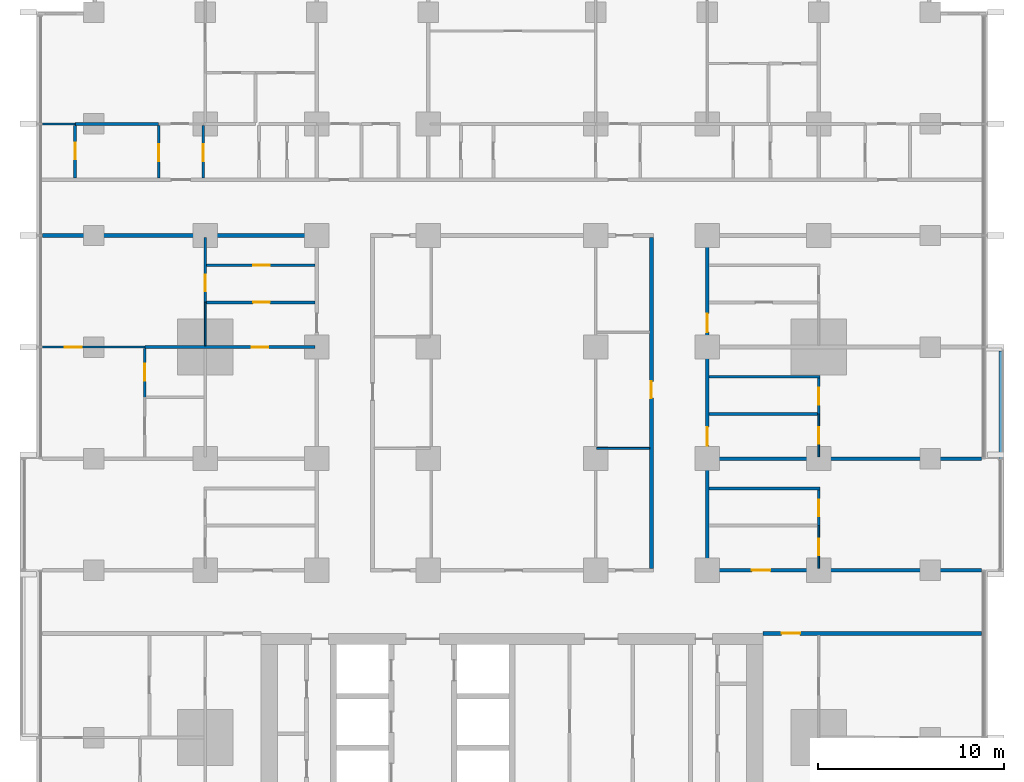
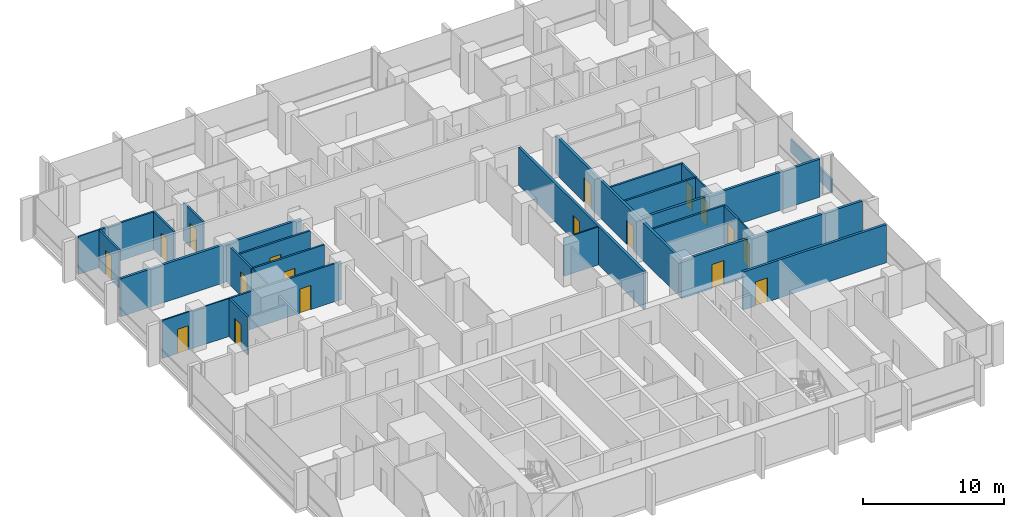
# One storey, part 10 of 18: 27 walls, 18 doors, 18 openings.
"""IFC4 building model written with IfcOpenShell, lengths in metres."""

from ifc_helpers import new_model, si_unit, direction, frame, frame_2d, origin, place, context, subcontext, project, spatial, rectangle, extrude, material, layer, layer_set, type_object, element, fill, save


model = new_model("IFC4")

# Units and contexts
model_context = context("Model", 3, precision=1e-05, world=origin(), true_north=direction((0.0, 1.0)))
body_context = subcontext(model_context, "Body", "Model", "MODEL_VIEW")
ifc_project = project(units=[si_unit("LENGTHUNIT", "METRE"), si_unit("AREAUNIT", "SQUARE_METRE"), si_unit("VOLUMEUNIT", "CUBIC_METRE"), si_unit("PLANEANGLEUNIT", "RADIAN"), si_unit("MASSUNIT", "GRAM", prefix="KILO")], contexts=[model_context])

# Site, building, storey
site_placement = place(None, origin())
site = spatial("IfcSite", under=ifc_project, at=site_placement, CompositionType="ELEMENT")
building_placement = place(site_placement, origin())
building = spatial("IfcBuilding", under=site, at=building_placement, Name="Finial Court Residences", CompositionType="ELEMENT")
storey_placement = place(building_placement, frame((0.0, 0.0, 43.300048828125)))
storey = spatial("IfcBuildingStorey", under=building, at=storey_placement, Name="L09", CompositionType="ELEMENT", Elevation=43.300048828125)

# Wall
ifc_material_1 = material(Name="Gypsum board")
ifc_layer_1 = layer(ifc_material_1, 0.02490234375)
ifc_material_2 = material(Name="Acoustic mineral wool in double frame")
ifc_layer_2 = layer(ifc_material_2, 0.14990234375)
ifc_layer_3 = layer(ifc_material_1, 0.02490234375)
ifc_layer_set_1 = layer_set([ifc_layer_1, ifc_layer_2, ifc_layer_3], Name="Acoustic party wall 200, 1 hour")
wall_type_1 = type_object("IfcWallType", Name="Acoustic party wall 200, 1 hour", PredefinedType="PARTITIONING", material=ifc_layer_set_1)
wall_1_placement = place(storey_placement, frame((10.60009765625, 1.5, 0.0), z_axis=(0.0, 0.0, 1.0), x_axis=(1.0, 0.0, 0.0)))
element("IfcWall", 1, at=wall_1_placement, inside=storey, type_object=wall_type_1, Name="Partition L09-017", PredefinedType="PARTITIONING", context=body_context, shape_type="SweptSolid", body=[
    extrude(rectangle(XDim=14.64990234375, YDim=0.199951171875, at=frame_2d((7.324951171875, 0.0))), origin(), (0.0, 0.0, 1.0), 3.300048828125),
])

# Wall, opening, door
ifc_layer_4 = layer(ifc_material_1, 0.02490234375)
ifc_layer_5 = layer(ifc_material_2, 0.14990234375)
ifc_layer_6 = layer(ifc_material_1, 0.02490234375)
ifc_layer_set_2 = layer_set([ifc_layer_4, ifc_layer_5, ifc_layer_6], Name="Corridor wall 200, 1 hour")
wall_type_2 = type_object("IfcWallType", Name="Corridor wall 200, 1 hour", PredefinedType="PARTITIONING", material=ifc_layer_set_2)
wall_2_placement = place(storey_placement, frame((13.5, -7.89990234375, 0.0), z_axis=(0.0, 0.0, 1.0), x_axis=(1.0, 0.0, 0.0)))
wall_2 = element("IfcWall", 2, at=wall_2_placement, inside=storey, type_object=wall_type_2, Name="Partition L09-008", PredefinedType="PARTITIONING", context=body_context, shape_type="SweptSolid", body=[
    extrude(rectangle(XDim=11.75, YDim=0.199951171875, at=frame_2d((5.875, 0.0))), origin(), (0.0, 0.0, 1.0), 3.300048828125),
])
opening_1_placement = place(wall_2_placement, frame((1.0, 0.0, 0.0)))
opening_1 = element("IfcOpeningElement", 3, at=opening_1_placement, cuts=wall_2, Name="Opening L09-D006", PredefinedType="OPENING", context=body_context, shape_type="SweptSolid", body=[
    extrude(rectangle(XDim=1.0, YDim=2.10009765625, at=frame_2d((0.5, 1.050048828125))), frame((0.0, 0.10986328125, 0.0), z_axis=(0.0, -1.0, 0.0), x_axis=(1.0, 0.0, 0.0)), (0.0, 0.0, 1.0), 0.219970703125),
])
ifc_material_3 = material(Name="Timber door leaf in hollow metal frame", Category="wood")
door_type_1 = type_object("IfcDoorType", Name="Fire door set 1000 x 2100, 30 minutes", OperationType="SINGLE_SWING_LEFT", PredefinedType="DOOR", material=ifc_material_3)
door_1_placement = place(opening_1_placement, origin())
door_1 = element("IfcDoor", 4, at=door_1_placement, inside=storey, type_object=door_type_1, Name="Door L09-D006", OperationType="SINGLE_SWING_LEFT", OverallHeight=2.10009765625, OverallWidth=1.0, PredefinedType="DOOR", context=body_context, shape_type="SweptSolid", body=[
    extrude(rectangle(XDim=1.0, YDim=2.10009765625, at=frame_2d((0.5, 1.050048828125))), frame((0.0, 0.02490234375, 0.0), z_axis=(0.0, -1.0, 0.0), x_axis=(1.0, 0.0, 0.0)), (0.0, 0.0, 1.0), 0.050048828125),
])
fill(opening_1, door_1)

wall_3_placement = place(storey_placement, frame((10.39990234375, -4.5, 0.0), z_axis=(0.0, 0.0, 1.0), x_axis=(1.0, 0.0, 0.0)))
wall_3 = element("IfcWall", 5, at=wall_3_placement, inside=storey, type_object=wall_type_2, Name="Partition L09-011", PredefinedType="PARTITIONING", context=body_context, shape_type="SweptSolid", body=[
    extrude(rectangle(XDim=14.85009765625, YDim=0.199951171875, at=frame_2d((7.425048828125, 0.0))), origin(), (0.0, 0.0, 1.0), 3.300048828125),
])
opening_2_placement = place(wall_3_placement, frame((2.5, 0.0, 0.0)))
opening_2 = element("IfcOpeningElement", 6, at=opening_2_placement, cuts=wall_3, Name="Opening L09-D011", PredefinedType="OPENING", context=body_context, shape_type="SweptSolid", body=[
    extrude(rectangle(XDim=1.0, YDim=2.10009765625, at=frame_2d((0.5, 1.050048828125))), frame((0.0, 0.10986328125, 0.0), z_axis=(0.0, -1.0, 0.0), x_axis=(1.0, 0.0, 0.0)), (0.0, 0.0, 1.0), 0.219970703125),
])
door_2_placement = place(opening_2_placement, origin())
door_2 = element("IfcDoor", 7, at=door_2_placement, inside=storey, type_object=door_type_1, Name="Door L09-D011", OperationType="SINGLE_SWING_RIGHT", OverallHeight=2.10009765625, OverallWidth=1.0, PredefinedType="DOOR", context=body_context, shape_type="SweptSolid", body=[
    extrude(rectangle(XDim=1.0, YDim=2.10009765625, at=frame_2d((0.5, 1.050048828125))), frame((0.0, 0.02490234375, 0.0), z_axis=(0.0, -1.0, 0.0), x_axis=(1.0, 0.0, 0.0)), (0.0, 0.0, 1.0), 0.050048828125),
])
fill(opening_2, door_2)

# Wall
wall_4_placement = place(storey_placement, frame((-25.25, 13.5, 0.0), z_axis=(0.0, 0.0, 1.0), x_axis=(1.0, 0.0, 0.0)))
element("IfcWall", 8, at=wall_4_placement, inside=storey, type_object=wall_type_2, Name="Partition L09-032", PredefinedType="PARTITIONING", context=body_context, shape_type="SweptSolid", body=[
    extrude(rectangle(XDim=14.85009765625, YDim=0.199951171875, at=frame_2d((7.425048828125, 0.0))), origin(), (0.0, 0.0, 1.0), 3.300048828125),
])

# Wall, opening, door
wall_5_placement = place(storey_placement, frame((7.5, -4.39990234375, 0.0), z_axis=(0.0, 0.0, 1.0), x_axis=(0.0, 1.0, 0.0)))
wall_5 = element("IfcWall", 9, at=wall_5_placement, inside=storey, type_object=wall_type_2, Name="Partition L09-090", PredefinedType="PARTITIONING", context=body_context, shape_type="SweptSolid", body=[
    extrude(rectangle(XDim=17.7998046875, YDim=0.199951171875, at=frame_2d((8.89990234375, 0.0))), origin(), (0.0, 0.0, 1.0), 3.300048828125),
])
opening_3_placement = place(wall_5_placement, frame((9.14990234375, 0.0, 0.0)))
opening_3 = element("IfcOpeningElement", 10, at=opening_3_placement, cuts=wall_5, Name="Opening L09-D056", PredefinedType="OPENING", context=body_context, shape_type="SweptSolid", body=[
    extrude(rectangle(XDim=0.89990234375, YDim=2.10009765625, at=frame_2d((0.449951171875, 1.050048828125))), frame((0.0, 0.10986328125, 0.0), z_axis=(0.0, -1.0, 0.0), x_axis=(1.0, 0.0, 0.0)), (0.0, 0.0, 1.0), 0.219970703125),
])
door_type_2 = type_object("IfcDoorType", Name="Fire door set 900 x 2100, 30 minutes", OperationType="SINGLE_SWING_LEFT", PredefinedType="DOOR", material=ifc_material_3)
door_3_placement = place(opening_3_placement, origin())
door_3 = element("IfcDoor", 11, at=door_3_placement, inside=storey, type_object=door_type_2, Name="Door L09-D056", OperationType="SINGLE_SWING_LEFT", OverallHeight=2.10009765625, OverallWidth=0.89990234375, PredefinedType="DOOR", context=body_context, shape_type="SweptSolid", body=[
    extrude(rectangle(XDim=0.89990234375, YDim=2.10009765625, at=frame_2d((0.449951171875, 1.050048828125))), frame((0.0, 0.02490234375, 0.0), z_axis=(0.0, -1.0, 0.0), x_axis=(1.0, 0.0, 0.0)), (0.0, 0.0, 1.0), 0.050048828125),
])
fill(opening_3, door_3)

# Wall, openings, doors
wall_6_placement = place(storey_placement, frame((10.5, -4.39990234375, 0.0), z_axis=(0.0, 0.0, 1.0), x_axis=(0.0, 1.0, 0.0)))
wall_6 = element("IfcWall", 12, at=wall_6_placement, inside=storey, type_object=wall_type_2, Name="Partition L09-091", PredefinedType="PARTITIONING", context=body_context, shape_type="SweptSolid", body=[
    extrude(rectangle(XDim=17.7998046875, YDim=0.199951171875, at=frame_2d((8.89990234375, 0.0))), origin(), (0.0, 0.0, 1.0), 3.300048828125),
])
opening_4_placement = place(wall_6_placement, frame((6.60009765625, 0.0, 0.0)))
opening_4 = element("IfcOpeningElement", 13, at=opening_4_placement, cuts=wall_6, Name="Opening L09-D057", PredefinedType="OPENING", context=body_context, shape_type="SweptSolid", body=[
    extrude(rectangle(XDim=1.0, YDim=2.10009765625, at=frame_2d((0.5, 1.050048828125))), frame((0.0, 0.10986328125, 0.0), z_axis=(0.0, -1.0, 0.0), x_axis=(1.0, 0.0, 0.0)), (0.0, 0.0, 1.0), 0.219970703125),
])
opening_5_placement = place(wall_6_placement, frame((12.699951171875, 0.0, 0.0)))
opening_5 = element("IfcOpeningElement", 14, at=opening_5_placement, cuts=wall_6, Name="Opening L09-D058", PredefinedType="OPENING", context=body_context, shape_type="SweptSolid", body=[
    extrude(rectangle(XDim=1.0, YDim=2.10009765625, at=frame_2d((0.5, 1.050048828125))), frame((0.0, 0.10986328125, 0.0), z_axis=(0.0, -1.0, 0.0), x_axis=(1.0, 0.0, 0.0)), (0.0, 0.0, 1.0), 0.219970703125),
])
door_4_placement = place(opening_4_placement, origin())
door_4 = element("IfcDoor", 15, at=door_4_placement, inside=storey, type_object=door_type_1, Name="Door L09-D057", OperationType="SINGLE_SWING_LEFT", OverallHeight=2.10009765625, OverallWidth=1.0, PredefinedType="DOOR", context=body_context, shape_type="SweptSolid", body=[
    extrude(rectangle(XDim=1.0, YDim=2.10009765625, at=frame_2d((0.5, 1.050048828125))), frame((0.0, 0.02490234375, 0.0), z_axis=(0.0, -1.0, 0.0), x_axis=(1.0, 0.0, 0.0)), (0.0, 0.0, 1.0), 0.050048828125),
])
fill(opening_4, door_4)
door_5_placement = place(opening_5_placement, origin())
door_5 = element("IfcDoor", 16, at=door_5_placement, inside=storey, type_object=door_type_1, Name="Door L09-D058", OperationType="SINGLE_SWING_RIGHT", OverallHeight=2.10009765625, OverallWidth=1.0, PredefinedType="DOOR", context=body_context, shape_type="SweptSolid", body=[
    extrude(rectangle(XDim=1.0, YDim=2.10009765625, at=frame_2d((0.5, 1.050048828125))), frame((0.0, 0.02490234375, 0.0), z_axis=(0.0, -1.0, 0.0), x_axis=(1.0, 0.0, 0.0)), (0.0, 0.0, 1.0), 0.050048828125),
])
fill(opening_5, door_5)

# Wall
ifc_layer_7 = layer(ifc_material_1, 0.012451171875)
ifc_material_4 = material(Name="Mineral wool in light-gauge frame")
ifc_layer_8 = layer(ifc_material_4, 0.074951171875)
ifc_layer_9 = layer(ifc_material_1, 0.012451171875)
ifc_layer_set_3 = layer_set([ifc_layer_7, ifc_layer_8, ifc_layer_9], Name="Gypsum board partition 100")
wall_type_3 = type_object("IfcWallType", Name="Gypsum board partition 100", PredefinedType="PARTITIONING", material=ifc_layer_set_3)
wall_7_placement = place(storey_placement, frame((4.550048828125, 2.050048828125, 0.0), z_axis=(0.0, 0.0, 1.0), x_axis=(1.0, 0.0, 0.0)))
element("IfcWall", 17, at=wall_7_placement, inside=storey, type_object=wall_type_3, Name="Partition L09-019", PredefinedType="PARTITIONING", context=body_context, shape_type="SweptSolid", body=[
    extrude(rectangle(XDim=2.849853515625, YDim=0.10009765625, at=frame_2d((1.4248046875, 0.0))), origin(), (0.0, 0.0, 1.0), 3.300048828125),
])

# Wall, opening, door
wall_8_placement = place(storey_placement, frame((-25.25, 7.5, 0.0), z_axis=(0.0, 0.0, 1.0), x_axis=(1.0, 0.0, 0.0)))
wall_8 = element("IfcWall", 18, at=wall_8_placement, inside=storey, type_object=wall_type_3, Name="Partition L09-023", PredefinedType="PARTITIONING", context=body_context, shape_type="SweptSolid", body=[
    extrude(rectangle(XDim=5.5, YDim=0.10009765625, at=frame_2d((2.75, 0.0))), origin(), (0.0, 0.0, 1.0), 3.300048828125),
])
opening_6_placement = place(wall_8_placement, frame((1.199951171875, 0.0, 0.0)))
opening_6 = element("IfcOpeningElement", 19, at=opening_6_placement, cuts=wall_8, Name="Opening L09-D012", PredefinedType="OPENING", context=body_context, shape_type="SweptSolid", body=[
    extrude(rectangle(XDim=0.89990234375, YDim=2.10009765625, at=frame_2d((0.449951171875, 1.050048828125))), frame((0.0, 0.06005859375, 0.0), z_axis=(0.0, -1.0, 0.0), x_axis=(1.0, 0.0, 0.0)), (0.0, 0.0, 1.0), 0.1201171875),
])
ifc_material_5 = material(Name="Timber door leaf in timber frame", Category="wood")
door_type_3 = type_object("IfcDoorType", Name="Door set 900 x 2100", OperationType="SINGLE_SWING_LEFT", PredefinedType="DOOR", material=ifc_material_5)
door_6_placement = place(opening_6_placement, origin())
door_6 = element("IfcDoor", 20, at=door_6_placement, inside=storey, type_object=door_type_3, Name="Door L09-D012", OperationType="SINGLE_SWING_LEFT", OverallHeight=2.10009765625, OverallWidth=0.89990234375, PredefinedType="DOOR", context=body_context, shape_type="SweptSolid", body=[
    extrude(rectangle(XDim=0.89990234375, YDim=2.10009765625, at=frame_2d((0.449951171875, 1.050048828125))), frame((0.0, 0.02490234375, 0.0), z_axis=(0.0, -1.0, 0.0), x_axis=(1.0, 0.0, 0.0)), (0.0, 0.0, 1.0), 0.050048828125),
])
fill(opening_6, door_6)

# Walls
wall_9_placement = place(storey_placement, frame((-25.25, 19.5, 0.0), z_axis=(0.0, 0.0, 1.0), x_axis=(1.0, 0.0, 0.0)))
element("IfcWall", 21, at=wall_9_placement, inside=storey, type_object=wall_type_3, Name="Partition L09-036", PredefinedType="PARTITIONING", context=body_context, shape_type="SweptSolid", body=[
    extrude(rectangle(XDim=1.75, YDim=0.10009765625, at=frame_2d((0.875, 0.0))), origin(), (0.0, 0.0, 1.0), 3.300048828125),
])
wall_10_placement = place(storey_placement, frame((-16.5, 7.574951171875, 0.0), z_axis=(0.0, 0.0, 1.0), x_axis=(0.0, 1.0, 0.0)))
element("IfcWall", 22, at=wall_10_placement, inside=storey, type_object=wall_type_3, Name="Partition L09-065", PredefinedType="PARTITIONING", context=body_context, shape_type="SweptSolid", body=[
    extrude(rectangle(XDim=2.324951171875, YDim=0.10009765625, at=frame_2d((1.16259765625, 0.0))), origin(), (0.0, 0.0, 1.0), 3.300048828125),
])

# Wall, opening, door
wall_11_placement = place(storey_placement, frame((16.5, -4.39990234375, 0.0), z_axis=(0.0, 0.0, 1.0), x_axis=(0.0, 1.0, 0.0)))
wall_11 = element("IfcWall", 23, at=wall_11_placement, inside=storey, type_object=wall_type_3, Name="Partition L09-097", PredefinedType="PARTITIONING", context=body_context, shape_type="SweptSolid", body=[
    extrude(rectangle(XDim=2.2998046875, YDim=0.10009765625, at=frame_2d((1.14990234375, 0.0))), origin(), (0.0, 0.0, 1.0), 3.300048828125),
])
opening_7_placement = place(wall_11_placement, frame((0.699951171875, 0.0, 0.0)))
opening_7 = element("IfcOpeningElement", 24, at=opening_7_placement, cuts=wall_11, Name="Opening L09-D063", PredefinedType="OPENING", context=body_context, shape_type="SweptSolid", body=[
    extrude(rectangle(XDim=0.89990234375, YDim=2.10009765625, at=frame_2d((0.449951171875, 1.050048828125))), frame((0.0, 0.06005859375, 0.0), z_axis=(0.0, -1.0, 0.0), x_axis=(1.0, 0.0, 0.0)), (0.0, 0.0, 1.0), 0.1201171875),
])
door_7_placement = place(opening_7_placement, origin())
door_7 = element("IfcDoor", 25, at=door_7_placement, inside=storey, type_object=door_type_3, Name="Door L09-D063", OperationType="SINGLE_SWING_RIGHT", OverallHeight=2.10009765625, OverallWidth=0.89990234375, PredefinedType="DOOR", context=body_context, shape_type="SweptSolid", body=[
    extrude(rectangle(XDim=0.89990234375, YDim=2.10009765625, at=frame_2d((0.449951171875, 1.050048828125))), frame((0.0, 0.02490234375, 0.0), z_axis=(0.0, -1.0, 0.0), x_axis=(1.0, 0.0, 0.0)), (0.0, 0.0, 1.0), 0.050048828125),
])
fill(opening_7, door_7)

wall_12_placement = place(storey_placement, frame((16.5, 1.60009765625, 0.0), z_axis=(0.0, 0.0, 1.0), x_axis=(0.0, 1.0, 0.0)))
wall_12 = element("IfcWall", 26, at=wall_12_placement, inside=storey, type_object=wall_type_3, Name="Partition L09-098", PredefinedType="PARTITIONING", context=body_context, shape_type="SweptSolid", body=[
    extrude(rectangle(XDim=2.2998046875, YDim=0.10009765625, at=frame_2d((1.14990234375, 0.0))), origin(), (0.0, 0.0, 1.0), 3.300048828125),
])
opening_8_placement = place(wall_12_placement, frame((0.699951171875, 0.0, 0.0)))
opening_8 = element("IfcOpeningElement", 27, at=opening_8_placement, cuts=wall_12, Name="Opening L09-D064", PredefinedType="OPENING", context=body_context, shape_type="SweptSolid", body=[
    extrude(rectangle(XDim=0.89990234375, YDim=2.10009765625, at=frame_2d((0.449951171875, 1.050048828125))), frame((0.0, 0.06005859375, 0.0), z_axis=(0.0, -1.0, 0.0), x_axis=(1.0, 0.0, 0.0)), (0.0, 0.0, 1.0), 0.1201171875),
])
door_8_placement = place(opening_8_placement, origin())
door_8 = element("IfcDoor", 28, at=door_8_placement, inside=storey, type_object=door_type_3, Name="Door L09-D064", OperationType="SINGLE_SWING_RIGHT", OverallHeight=2.10009765625, OverallWidth=0.89990234375, PredefinedType="DOOR", context=body_context, shape_type="SweptSolid", body=[
    extrude(rectangle(XDim=0.89990234375, YDim=2.10009765625, at=frame_2d((0.449951171875, 1.050048828125))), frame((0.0, 0.02490234375, 0.0), z_axis=(0.0, -1.0, 0.0), x_axis=(1.0, 0.0, 0.0)), (0.0, 0.0, 1.0), 0.050048828125),
])
fill(opening_8, door_8)

# Walls
ifc_material_6 = material(Name="Moisture-resistant gypsum board")
ifc_layer_10 = layer(ifc_material_6, 0.012451171875)
ifc_layer_11 = layer(ifc_material_4, 0.125)
ifc_layer_12 = layer(ifc_material_6, 0.012451171875)
ifc_layer_set_4 = layer_set([ifc_layer_10, ifc_layer_11, ifc_layer_12], Name="Gypsum board wet-area partition 150")
wall_type_4 = type_object("IfcWallType", Name="Gypsum board wet-area partition 150", PredefinedType="PARTITIONING", material=ifc_layer_set_4)
wall_13_placement = place(storey_placement, frame((10.60009765625, -0.10009765625, 0.0), z_axis=(0.0, 0.0, 1.0), x_axis=(1.0, 0.0, 0.0)))
element("IfcWall", 29, at=wall_13_placement, inside=storey, type_object=wall_type_4, Name="Partition L09-015", PredefinedType="PARTITIONING", context=body_context, shape_type="SweptSolid", body=[
    extrude(rectangle(XDim=5.974853515625, YDim=0.14990234375, at=frame_2d((2.9873046875, 0.0))), origin(), (0.0, 0.0, 1.0), 3.300048828125),
])
wall_14_placement = place(storey_placement, frame((10.60009765625, 3.89990234375, 0.0), z_axis=(0.0, 0.0, 1.0), x_axis=(1.0, 0.0, 0.0)))
element("IfcWall", 30, at=wall_14_placement, inside=storey, type_object=wall_type_4, Name="Partition L09-020", PredefinedType="PARTITIONING", context=body_context, shape_type="SweptSolid", body=[
    extrude(rectangle(XDim=5.824951171875, YDim=0.14990234375, at=frame_2d((2.91259765625, 0.0))), origin(), (0.0, 0.0, 1.0), 3.300048828125),
])
wall_15_placement = place(storey_placement, frame((10.60009765625, 5.89990234375, 0.0), z_axis=(0.0, 0.0, 1.0), x_axis=(1.0, 0.0, 0.0)))
element("IfcWall", 31, at=wall_15_placement, inside=storey, type_object=wall_type_4, Name="Partition L09-022", PredefinedType="PARTITIONING", context=body_context, shape_type="SweptSolid", body=[
    extrude(rectangle(XDim=5.974853515625, YDim=0.14990234375, at=frame_2d((2.9873046875, 0.0))), origin(), (0.0, 0.0, 1.0), 3.300048828125),
])

# Wall, opening, door
wall_16_placement = place(storey_placement, frame((-19.75, 7.5, 0.0), z_axis=(0.0, 0.0, 1.0), x_axis=(1.0, 0.0, 0.0)))
wall_16 = element("IfcWall", 32, at=wall_16_placement, inside=storey, type_object=wall_type_4, Name="Partition L09-025", PredefinedType="PARTITIONING", context=body_context, shape_type="SweptSolid", body=[
    extrude(rectangle(XDim=9.14990234375, YDim=0.14990234375, at=frame_2d((4.574951171875, 0.0))), origin(), (0.0, 0.0, 1.0), 3.300048828125),
])
opening_9_placement = place(wall_16_placement, frame((5.75, 0.0, 0.0)))
opening_9 = element("IfcOpeningElement", 33, at=opening_9_placement, cuts=wall_16, Name="Opening L09-D013", PredefinedType="OPENING", context=body_context, shape_type="SweptSolid", body=[
    extrude(rectangle(XDim=0.89990234375, YDim=2.10009765625, at=frame_2d((0.449951171875, 1.050048828125))), frame((0.0, 0.0849609375, 0.0), z_axis=(0.0, -1.0, 0.0), x_axis=(1.0, 0.0, 0.0)), (0.0, 0.0, 1.0), 0.169921875),
])
door_9_placement = place(opening_9_placement, origin())
door_9 = element("IfcDoor", 34, at=door_9_placement, inside=storey, type_object=door_type_3, Name="Door L09-D013", OperationType="SINGLE_SWING_RIGHT", OverallHeight=2.10009765625, OverallWidth=0.89990234375, PredefinedType="DOOR", context=body_context, shape_type="SweptSolid", body=[
    extrude(rectangle(XDim=0.89990234375, YDim=2.10009765625, at=frame_2d((0.449951171875, 1.050048828125))), frame((0.0, 0.02490234375, 0.0), z_axis=(0.0, -1.0, 0.0), x_axis=(1.0, 0.0, 0.0)), (0.0, 0.0, 1.0), 0.050048828125),
])
fill(opening_9, door_9)

wall_17_placement = place(storey_placement, frame((-16.425048828125, 9.89990234375, 0.0), z_axis=(0.0, 0.0, 1.0), x_axis=(1.0, 0.0, 0.0)))
wall_17 = element("IfcWall", 35, at=wall_17_placement, inside=storey, type_object=wall_type_4, Name="Partition L09-028", PredefinedType="PARTITIONING", context=body_context, shape_type="SweptSolid", body=[
    extrude(rectangle(XDim=5.824951171875, YDim=0.14990234375, at=frame_2d((2.91259765625, 0.0))), origin(), (0.0, 0.0, 1.0), 3.300048828125),
])
opening_10_placement = place(wall_17_placement, frame((2.5, 0.0, 0.0)))
opening_10 = element("IfcOpeningElement", 36, at=opening_10_placement, cuts=wall_17, Name="Opening L09-D014", PredefinedType="OPENING", context=body_context, shape_type="SweptSolid", body=[
    extrude(rectangle(XDim=0.89990234375, YDim=2.10009765625, at=frame_2d((0.449951171875, 1.050048828125))), frame((0.0, 0.0849609375, 0.0), z_axis=(0.0, -1.0, 0.0), x_axis=(1.0, 0.0, 0.0)), (0.0, 0.0, 1.0), 0.169921875),
])
door_10_placement = place(opening_10_placement, origin())
door_10 = element("IfcDoor", 37, at=door_10_placement, inside=storey, type_object=door_type_3, Name="Door L09-D014", OperationType="SINGLE_SWING_LEFT", OverallHeight=2.10009765625, OverallWidth=0.89990234375, PredefinedType="DOOR", context=body_context, shape_type="SweptSolid", body=[
    extrude(rectangle(XDim=0.89990234375, YDim=2.10009765625, at=frame_2d((0.449951171875, 1.050048828125))), frame((0.0, 0.02490234375, 0.0), z_axis=(0.0, -1.0, 0.0), x_axis=(1.0, 0.0, 0.0)), (0.0, 0.0, 1.0), 0.050048828125),
])
fill(opening_10, door_10)

wall_18_placement = place(storey_placement, frame((-16.425048828125, 11.89990234375, 0.0), z_axis=(0.0, 0.0, 1.0), x_axis=(1.0, 0.0, 0.0)))
wall_18 = element("IfcWall", 38, at=wall_18_placement, inside=storey, type_object=wall_type_4, Name="Partition L09-030", PredefinedType="PARTITIONING", context=body_context, shape_type="SweptSolid", body=[
    extrude(rectangle(XDim=5.824951171875, YDim=0.14990234375, at=frame_2d((2.91259765625, 0.0))), origin(), (0.0, 0.0, 1.0), 3.300048828125),
])
opening_11_placement = place(wall_18_placement, frame((2.5, 0.0, 0.0)))
opening_11 = element("IfcOpeningElement", 39, at=opening_11_placement, cuts=wall_18, Name="Opening L09-D016", PredefinedType="OPENING", context=body_context, shape_type="SweptSolid", body=[
    extrude(rectangle(XDim=0.89990234375, YDim=2.10009765625, at=frame_2d((0.449951171875, 1.050048828125))), frame((0.0, 0.0849609375, 0.0), z_axis=(0.0, -1.0, 0.0), x_axis=(1.0, 0.0, 0.0)), (0.0, 0.0, 1.0), 0.169921875),
])
door_11_placement = place(opening_11_placement, origin())
door_11 = element("IfcDoor", 40, at=door_11_placement, inside=storey, type_object=door_type_3, Name="Door L09-D016", OperationType="SINGLE_SWING_RIGHT", OverallHeight=2.10009765625, OverallWidth=0.89990234375, PredefinedType="DOOR", context=body_context, shape_type="SweptSolid", body=[
    extrude(rectangle(XDim=0.89990234375, YDim=2.10009765625, at=frame_2d((0.449951171875, 1.050048828125))), frame((0.0, 0.02490234375, 0.0), z_axis=(0.0, -1.0, 0.0), x_axis=(1.0, 0.0, 0.0)), (0.0, 0.0, 1.0), 0.050048828125),
])
fill(opening_11, door_11)

# Wall
wall_19_placement = place(storey_placement, frame((-23.5, 19.5, 0.0), z_axis=(0.0, 0.0, 1.0), x_axis=(1.0, 0.0, 0.0)))
element("IfcWall", 41, at=wall_19_placement, inside=storey, type_object=wall_type_4, Name="Partition L09-042", PredefinedType="PARTITIONING", context=body_context, shape_type="SweptSolid", body=[
    extrude(rectangle(XDim=4.5, YDim=0.14990234375, at=frame_2d((2.25, 0.0))), origin(), (0.0, 0.0, 1.0), 3.300048828125),
])

# Wall, opening, door
wall_20_placement = place(storey_placement, frame((-23.5, 16.60009765625, 0.0), z_axis=(0.0, 0.0, 1.0), x_axis=(0.0, 1.0, 0.0)))
wall_20 = element("IfcWall", 42, at=wall_20_placement, inside=storey, type_object=wall_type_4, Name="Partition L09-055", PredefinedType="PARTITIONING", context=body_context, shape_type="SweptSolid", body=[
    extrude(rectangle(XDim=2.824951171875, YDim=0.14990234375, at=frame_2d((1.41259765625, 0.0))), origin(), (0.0, 0.0, 1.0), 3.300048828125),
])
opening_12_placement = place(wall_20_placement, frame((1.0, 0.0, 0.0)))
opening_12 = element("IfcOpeningElement", 43, at=opening_12_placement, cuts=wall_20, Name="Opening L09-D034", PredefinedType="OPENING", context=body_context, shape_type="SweptSolid", body=[
    extrude(rectangle(XDim=0.89990234375, YDim=2.10009765625, at=frame_2d((0.449951171875, 1.050048828125))), frame((0.0, 0.0849609375, 0.0), z_axis=(0.0, -1.0, 0.0), x_axis=(1.0, 0.0, 0.0)), (0.0, 0.0, 1.0), 0.169921875),
])
door_12_placement = place(opening_12_placement, origin())
door_12 = element("IfcDoor", 44, at=door_12_placement, inside=storey, type_object=door_type_3, Name="Door L09-D034", OperationType="SINGLE_SWING_LEFT", OverallHeight=2.10009765625, OverallWidth=0.89990234375, PredefinedType="DOOR", context=body_context, shape_type="SweptSolid", body=[
    extrude(rectangle(XDim=0.89990234375, YDim=2.10009765625, at=frame_2d((0.449951171875, 1.050048828125))), frame((0.0, 0.02490234375, 0.0), z_axis=(0.0, -1.0, 0.0), x_axis=(1.0, 0.0, 0.0)), (0.0, 0.0, 1.0), 0.050048828125),
])
fill(opening_12, door_12)

wall_21_placement = place(storey_placement, frame((-19.75, 4.800048828125, 0.0), z_axis=(0.0, 0.0, 1.0), x_axis=(0.0, 1.0, 0.0)))
wall_21 = element("IfcWall", 45, at=wall_21_placement, inside=storey, type_object=wall_type_4, Name="Partition L09-059", PredefinedType="PARTITIONING", context=body_context, shape_type="SweptSolid", body=[
    extrude(rectangle(XDim=2.625, YDim=0.14990234375, at=frame_2d((1.3125, 0.0))), origin(), (0.0, 0.0, 1.0), 3.300048828125),
])
opening_13_placement = place(wall_21_placement, frame((0.89990234375, 0.0, 0.0)))
opening_13 = element("IfcOpeningElement", 46, at=opening_13_placement, cuts=wall_21, Name="Opening L09-D038", PredefinedType="OPENING", context=body_context, shape_type="SweptSolid", body=[
    extrude(rectangle(XDim=0.89990234375, YDim=2.10009765625, at=frame_2d((0.449951171875, 1.050048828125))), frame((0.0, 0.0849609375, 0.0), z_axis=(0.0, -1.0, 0.0), x_axis=(1.0, 0.0, 0.0)), (0.0, 0.0, 1.0), 0.169921875),
])
door_13_placement = place(opening_13_placement, origin())
door_13 = element("IfcDoor", 47, at=door_13_placement, inside=storey, type_object=door_type_3, Name="Door L09-D038", OperationType="SINGLE_SWING_RIGHT", OverallHeight=2.10009765625, OverallWidth=0.89990234375, PredefinedType="DOOR", context=body_context, shape_type="SweptSolid", body=[
    extrude(rectangle(XDim=0.89990234375, YDim=2.10009765625, at=frame_2d((0.449951171875, 1.050048828125))), frame((0.0, 0.02490234375, 0.0), z_axis=(0.0, -1.0, 0.0), x_axis=(1.0, 0.0, 0.0)), (0.0, 0.0, 1.0), 0.050048828125),
])
fill(opening_13, door_13)

wall_22_placement = place(storey_placement, frame((-19.0, 16.60009765625, 0.0), z_axis=(0.0, 0.0, 1.0), x_axis=(0.0, 1.0, 0.0)))
wall_22 = element("IfcWall", 48, at=wall_22_placement, inside=storey, type_object=wall_type_4, Name="Partition L09-061", PredefinedType="PARTITIONING", context=body_context, shape_type="SweptSolid", body=[
    extrude(rectangle(XDim=2.824951171875, YDim=0.14990234375, at=frame_2d((1.41259765625, 0.0))), origin(), (0.0, 0.0, 1.0), 3.300048828125),
])
opening_14_placement = place(wall_22_placement, frame((0.89990234375, 0.0, 0.0)))
opening_14 = element("IfcOpeningElement", 49, at=opening_14_placement, cuts=wall_22, Name="Opening L09-D040", PredefinedType="OPENING", context=body_context, shape_type="SweptSolid", body=[
    extrude(rectangle(XDim=0.89990234375, YDim=2.10009765625, at=frame_2d((0.449951171875, 1.050048828125))), frame((0.0, 0.0849609375, 0.0), z_axis=(0.0, -1.0, 0.0), x_axis=(1.0, 0.0, 0.0)), (0.0, 0.0, 1.0), 0.169921875),
])
door_14_placement = place(opening_14_placement, origin())
door_14 = element("IfcDoor", 50, at=door_14_placement, inside=storey, type_object=door_type_3, Name="Door L09-D040", OperationType="SINGLE_SWING_LEFT", OverallHeight=2.10009765625, OverallWidth=0.89990234375, PredefinedType="DOOR", context=body_context, shape_type="SweptSolid", body=[
    extrude(rectangle(XDim=0.89990234375, YDim=2.10009765625, at=frame_2d((0.449951171875, 1.050048828125))), frame((0.0, 0.02490234375, 0.0), z_axis=(0.0, -1.0, 0.0), x_axis=(1.0, 0.0, 0.0)), (0.0, 0.0, 1.0), 0.050048828125),
])
fill(opening_14, door_14)

wall_23_placement = place(storey_placement, frame((-16.60009765625, 16.60009765625, 0.0), z_axis=(0.0, 0.0, 1.0), x_axis=(0.0, 1.0, 0.0)))
wall_23 = element("IfcWall", 51, at=wall_23_placement, inside=storey, type_object=wall_type_4, Name="Partition L09-062", PredefinedType="PARTITIONING", context=body_context, shape_type="SweptSolid", body=[
    extrude(rectangle(XDim=2.824951171875, YDim=0.14990234375, at=frame_2d((1.41259765625, 0.0))), origin(), (0.0, 0.0, 1.0), 3.300048828125),
])
opening_15_placement = place(wall_23_placement, frame((0.89990234375, 0.0, 0.0)))
opening_15 = element("IfcOpeningElement", 52, at=opening_15_placement, cuts=wall_23, Name="Opening L09-D041", PredefinedType="OPENING", context=body_context, shape_type="SweptSolid", body=[
    extrude(rectangle(XDim=0.89990234375, YDim=2.10009765625, at=frame_2d((0.449951171875, 1.050048828125))), frame((0.0, 0.0849609375, 0.0), z_axis=(0.0, -1.0, 0.0), x_axis=(1.0, 0.0, 0.0)), (0.0, 0.0, 1.0), 0.169921875),
])
door_15_placement = place(opening_15_placement, origin())
door_15 = element("IfcDoor", 53, at=door_15_placement, inside=storey, type_object=door_type_3, Name="Door L09-D041", OperationType="SINGLE_SWING_LEFT", OverallHeight=2.10009765625, OverallWidth=0.89990234375, PredefinedType="DOOR", context=body_context, shape_type="SweptSolid", body=[
    extrude(rectangle(XDim=0.89990234375, YDim=2.10009765625, at=frame_2d((0.449951171875, 1.050048828125))), frame((0.0, 0.02490234375, 0.0), z_axis=(0.0, -1.0, 0.0), x_axis=(1.0, 0.0, 0.0)), (0.0, 0.0, 1.0), 0.050048828125),
])
fill(opening_15, door_15)

wall_24_placement = place(storey_placement, frame((-16.5, 9.89990234375, 0.0), z_axis=(0.0, 0.0, 1.0), x_axis=(0.0, 1.0, 0.0)))
wall_24 = element("IfcWall", 54, at=wall_24_placement, inside=storey, type_object=wall_type_4, Name="Partition L09-071", PredefinedType="PARTITIONING", context=body_context, shape_type="SweptSolid", body=[
    extrude(rectangle(XDim=3.5, YDim=0.14990234375, at=frame_2d((1.75, 0.0))), origin(), (0.0, 0.0, 1.0), 3.300048828125),
])
opening_16_placement = place(wall_24_placement, frame((0.60009765625, 0.0, 0.0)))
opening_16 = element("IfcOpeningElement", 55, at=opening_16_placement, cuts=wall_24, Name="Opening L09-D046", PredefinedType="OPENING", context=body_context, shape_type="SweptSolid", body=[
    extrude(rectangle(XDim=0.89990234375, YDim=2.10009765625, at=frame_2d((0.449951171875, 1.050048828125))), frame((0.0, 0.0849609375, 0.0), z_axis=(0.0, -1.0, 0.0), x_axis=(1.0, 0.0, 0.0)), (0.0, 0.0, 1.0), 0.169921875),
])
door_16_placement = place(opening_16_placement, origin())
door_16 = element("IfcDoor", 56, at=door_16_placement, inside=storey, type_object=door_type_3, Name="Door L09-D046", OperationType="SINGLE_SWING_RIGHT", OverallHeight=2.10009765625, OverallWidth=0.89990234375, PredefinedType="DOOR", context=body_context, shape_type="SweptSolid", body=[
    extrude(rectangle(XDim=0.89990234375, YDim=2.10009765625, at=frame_2d((0.449951171875, 1.050048828125))), frame((0.0, 0.02490234375, 0.0), z_axis=(0.0, -1.0, 0.0), x_axis=(1.0, 0.0, 0.0)), (0.0, 0.0, 1.0), 0.050048828125),
])
fill(opening_16, door_16)

wall_25_placement = place(storey_placement, frame((16.5, -2.10009765625, 0.0), z_axis=(0.0, 0.0, 1.0), x_axis=(0.0, 1.0, 0.0)))
wall_25 = element("IfcWall", 57, at=wall_25_placement, inside=storey, type_object=wall_type_4, Name="Partition L09-103", PredefinedType="PARTITIONING", context=body_context, shape_type="SweptSolid", body=[
    extrude(rectangle(XDim=1.925048828125, YDim=0.14990234375, at=frame_2d((0.96240234375, 0.0))), origin(), (0.0, 0.0, 1.0), 3.300048828125),
])
opening_17_placement = place(wall_25_placement, frame((0.5, 0.0, 0.0)))
opening_17 = element("IfcOpeningElement", 58, at=opening_17_placement, cuts=wall_25, Name="Opening L09-D065", PredefinedType="OPENING", context=body_context, shape_type="SweptSolid", body=[
    extrude(rectangle(XDim=0.89990234375, YDim=2.10009765625, at=frame_2d((0.449951171875, 1.050048828125))), frame((0.0, 0.0849609375, 0.0), z_axis=(0.0, -1.0, 0.0), x_axis=(1.0, 0.0, 0.0)), (0.0, 0.0, 1.0), 0.169921875),
])
door_17_placement = place(opening_17_placement, origin())
door_17 = element("IfcDoor", 59, at=door_17_placement, inside=storey, type_object=door_type_3, Name="Door L09-D065", OperationType="SINGLE_SWING_RIGHT", OverallHeight=2.10009765625, OverallWidth=0.89990234375, PredefinedType="DOOR", context=body_context, shape_type="SweptSolid", body=[
    extrude(rectangle(XDim=0.89990234375, YDim=2.10009765625, at=frame_2d((0.449951171875, 1.050048828125))), frame((0.0, 0.02490234375, 0.0), z_axis=(0.0, -1.0, 0.0), x_axis=(1.0, 0.0, 0.0)), (0.0, 0.0, 1.0), 0.050048828125),
])
fill(opening_17, door_17)

wall_26_placement = place(storey_placement, frame((16.5, 3.89990234375, 0.0), z_axis=(0.0, 0.0, 1.0), x_axis=(0.0, 1.0, 0.0)))
wall_26 = element("IfcWall", 60, at=wall_26_placement, inside=storey, type_object=wall_type_4, Name="Partition L09-104", PredefinedType="PARTITIONING", context=body_context, shape_type="SweptSolid", body=[
    extrude(rectangle(XDim=1.925048828125, YDim=0.14990234375, at=frame_2d((0.96240234375, 0.0))), origin(), (0.0, 0.0, 1.0), 3.300048828125),
])
opening_18_placement = place(wall_26_placement, frame((0.5, 0.0, 0.0)))
opening_18 = element("IfcOpeningElement", 61, at=opening_18_placement, cuts=wall_26, Name="Opening L09-D066", PredefinedType="OPENING", context=body_context, shape_type="SweptSolid", body=[
    extrude(rectangle(XDim=0.89990234375, YDim=2.10009765625, at=frame_2d((0.449951171875, 1.050048828125))), frame((0.0, 0.0849609375, 0.0), z_axis=(0.0, -1.0, 0.0), x_axis=(1.0, 0.0, 0.0)), (0.0, 0.0, 1.0), 0.169921875),
])
door_18_placement = place(opening_18_placement, origin())
door_18 = element("IfcDoor", 62, at=door_18_placement, inside=storey, type_object=door_type_3, Name="Door L09-D066", OperationType="SINGLE_SWING_LEFT", OverallHeight=2.10009765625, OverallWidth=0.89990234375, PredefinedType="DOOR", context=body_context, shape_type="SweptSolid", body=[
    extrude(rectangle(XDim=0.89990234375, YDim=2.10009765625, at=frame_2d((0.449951171875, 1.050048828125))), frame((0.0, 0.02490234375, 0.0), z_axis=(0.0, -1.0, 0.0), x_axis=(1.0, 0.0, 0.0)), (0.0, 0.0, 1.0), 0.050048828125),
])
fill(opening_18, door_18)

# Wall
ifc_material_7 = material(Name="Concrete C35/45", Category="concrete")
ifc_layer_13 = layer(ifc_material_7, 0.14990234375)
ifc_layer_set_5 = layer_set([ifc_layer_13], Name="Ledge parapet, Concrete C35/45 150")
wall_type_5 = type_object("IfcWallType", Name="Ledge parapet, Concrete C35/45 150", PredefinedType="PARAPET", material=ifc_layer_set_5)
wall_27_placement = place(storey_placement, frame((26.27490234375, 7.300048828125, 0.0), z_axis=(0.0, 0.0, 1.0), x_axis=(0.0, -1.0, 0.0)))
element("IfcWall", 63, at=wall_27_placement, inside=storey, type_object=wall_type_5, Name="E-L09-LED1-P2", PredefinedType="PARAPET", context=body_context, shape_type="SweptSolid", body=[
    extrude(rectangle(XDim=5.840087890625, YDim=0.14990234375, at=frame_2d((2.919921875, 0.0))), origin(), (0.0, 0.0, 1.0), 1.14990234375),
])

save(model, "model.ifc")
